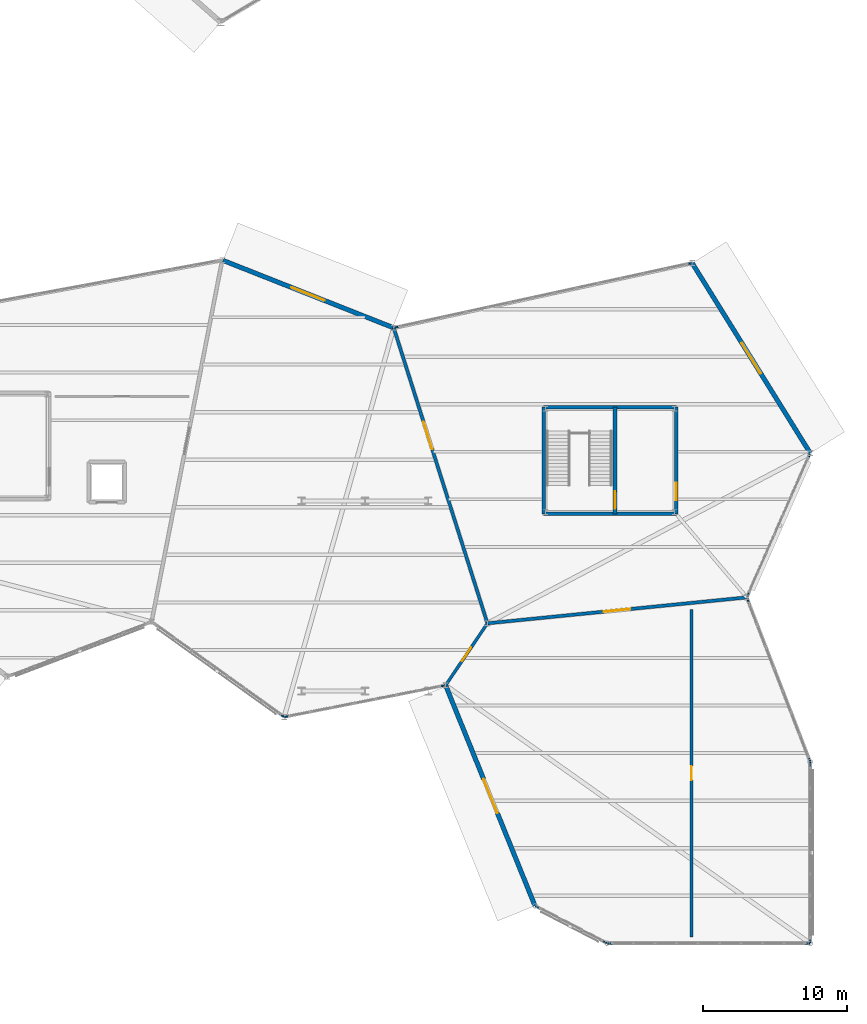
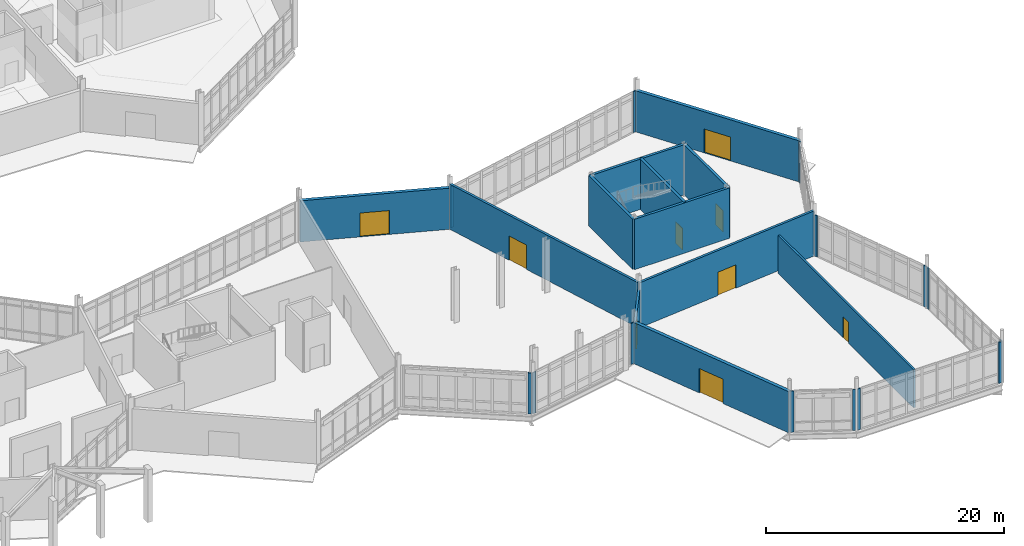
# One storey, part 98 of 113: 27 walls, 9 doors, 9 openings.
"""IFC4 building model written with IfcOpenShell, lengths in metres."""

from ifc_helpers import new_model, si_unit, direction, frame, frame_2d, origin, place, context, subcontext, project, spatial, rectangle, extrude, material, layer, layer_set, type_object, element, fill, save


model = new_model("IFC4")

# Units and contexts
model_context = context("Model", 3, precision=1e-05, world=origin(), true_north=direction((0.0, 1.0)))
body_context = subcontext(model_context, "Body", "Model", "MODEL_VIEW")
ifc_project = project(units=[si_unit("LENGTHUNIT", "METRE"), si_unit("AREAUNIT", "SQUARE_METRE"), si_unit("VOLUMEUNIT", "CUBIC_METRE"), si_unit("PLANEANGLEUNIT", "RADIAN"), si_unit("MASSUNIT", "GRAM", prefix="KILO")], contexts=[model_context])

# Site, building, storey
site_placement = place(None, origin())
site = spatial("IfcSite", under=ifc_project, at=site_placement, CompositionType="ELEMENT")
building_placement = place(site_placement, origin())
building = spatial("IfcBuilding", under=site, at=building_placement, Name="Tameran Prism Museum", CompositionType="ELEMENT")
storey_placement = place(building_placement, origin())
storey = spatial("IfcBuildingStorey", under=building, at=storey_placement, Name="L00", CompositionType="ELEMENT", Elevation=0.0)

# Walls
ifc_material_1 = material(Name="Precast Concrete N40 (40 MPa)", Category="concrete")
ifc_layer_1 = layer(ifc_material_1, 0.094970703125)
ifc_layer_set_1 = layer_set([ifc_layer_1])
wall_type_1 = type_object("IfcWallType", Name="EW-CLOS-095", PredefinedType="SOLIDWALL", material=ifc_layer_set_1)
wall_1_placement = place(storey_placement, frame((129.865966796875, 15.72412109375, 0.0), z_axis=(0.0, 0.0, 1.0), x_axis=(-0.811639565077, 0.584158554162, 0.0)))
element("IfcWall", 1, at=wall_1_placement, inside=storey, type_object=wall_type_1, Name="Facade Corner Closure EW-0110", PredefinedType="SOLIDWALL", context=body_context, shape_type="SweptSolid", body=[
    extrude(rectangle(XDim=0.30810546875, YDim=0.094970703125, at=frame_2d((0.154052734375, 0.0))), origin(), (0.0, 0.0, 1.0), 4.219970703125),
])
for number, where, z_axis, x_axis, name in (
    (2, (141.0, 17.8798828125, 0.0), (0.0, 0.0, 1.0), (-0.981545118721, -0.19123069815, 0.0), "Facade Corner Closure EW-0112"),
    (3, (130.242919921875, 15.76708984375, 0.0), (0.0, 0.0, 1.0), (-0.981395904747, -0.191994995108, 0.0), "Facade Corner Closure EW-0113"),
):
    element("IfcWall", number, at=place(storey_placement, frame(where, z_axis=z_axis, x_axis=x_axis)), inside=storey, type_object=wall_type_1, Name=name, PredefinedType="SOLIDWALL", context=body_context, shape_type="SweptSolid", body=[
        extrude(rectangle(XDim=0.3076171875, YDim=0.094970703125, at=frame_2d((0.15380859375, 0.0))), origin(), (0.0, 0.0, 1.0), 4.219970703125),
    ])
wall_2_placement = place(storey_placement, frame((152.262939453125, 0.01904296875, 0.0), z_axis=(0.0, 0.0, 1.0), x_axis=(-0.888005951379, 0.45983195878, 0.0)))
element("IfcWall", 4, at=wall_2_placement, inside=storey, type_object=wall_type_1, Name="Facade Corner Closure EW-0115", PredefinedType="SOLIDWALL", context=body_context, shape_type="SweptSolid", body=[
    extrude(rectangle(XDim=0.30859375, YDim=0.094970703125, at=frame_2d((0.154296875, 0.0))), origin(), (0.0, 0.0, 1.0), 4.219970703125),
])
wall_3_placement = place(storey_placement, frame((147.611083984375, 2.43896484375, 0.0), z_axis=(0.0, 0.0, 1.0), x_axis=(-0.887850239649, 0.460132537378, 0.0)))
element("IfcWall", 5, at=wall_3_placement, inside=storey, type_object=wall_type_1, Name="Facade Corner Closure EW-0116", PredefinedType="SOLIDWALL", context=body_context, shape_type="SweptSolid", body=[
    extrude(rectangle(XDim=0.308837890625, YDim=0.094970703125, at=frame_2d((0.154296875, 0.0))), origin(), (0.0, 0.0, 1.0), 4.219970703125),
])
for number, where, z_axis, x_axis, name in (
    (6, (166.35791015625, 0.0, 0.0), (0.0, 0.0, 1.0), (-1.0, 0.0, 0.0), "Facade Corner Closure EW-0117"),
    (7, (152.64990234375, 0.0, 0.0), (0.0, 0.0, 1.0), (-1.0, 0.0, 0.0), "Facade Corner Closure EW-0118"),
):
    element("IfcWall", number, at=place(storey_placement, frame(where, z_axis=z_axis, x_axis=x_axis)), inside=storey, type_object=wall_type_1, Name=name, PredefinedType="SOLIDWALL", context=body_context, shape_type="SweptSolid", body=[
        extrude(rectangle(XDim=0.307861328125, YDim=0.094970703125, at=frame_2d((0.15380859375, 0.0))), origin(), (0.0, 0.0, 1.0), 4.219970703125),
    ])
for number, where, z_axis, x_axis, name in (
    (8, (166.39990234375, 12.55810546875, 0.0), (0.0, 0.0, 1.0), (0.0, -1.0, 0.0), "Facade Corner Closure EW-0119"),
    (9, (166.39990234375, 0.35009765625, 0.0), (0.0, 0.0, 1.0), (0.0, -1.0, 0.0), "Facade Corner Closure EW-0120"),
):
    element("IfcWall", number, at=place(storey_placement, frame(where, z_axis=z_axis, x_axis=x_axis)), inside=storey, type_object=wall_type_1, Name=name, PredefinedType="SOLIDWALL", context=body_context, shape_type="SweptSolid", body=[
        extrude(rectangle(XDim=0.30810546875, YDim=0.094970703125, at=frame_2d((0.154052734375, 0.0))), origin(), (0.0, 0.0, 1.0), 4.219970703125),
    ])
wall_4_placement = place(storey_placement, frame((162.037109375, 23.905029296875, 0.0), z_axis=(0.0, 0.0, 1.0), x_axis=(0.359085078765, -0.933304830271, 0.0)))
element("IfcWall", 10, at=wall_4_placement, inside=storey, type_object=wall_type_1, Name="Facade Corner Closure EW-0121", PredefinedType="SOLIDWALL", context=body_context, shape_type="SweptSolid", body=[
    extrude(rectangle(XDim=0.30859375, YDim=0.094970703125, at=frame_2d((0.154296875, 0.0))), origin(), (0.0, 0.0, 1.0), 4.219970703125),
])
wall_5_placement = place(storey_placement, frame((166.27392578125, 12.927001953125, 0.0), z_axis=(0.0, 0.0, 1.0), x_axis=(0.359773736497, -0.933039580365, 0.0)))
element("IfcWall", 11, at=wall_5_placement, inside=storey, type_object=wall_type_1, Name="Facade Corner Closure EW-0122", PredefinedType="SOLIDWALL", context=body_context, shape_type="SweptSolid", body=[
    extrude(rectangle(XDim=0.308837890625, YDim=0.094970703125, at=frame_2d((0.154296875, 0.0))), origin(), (0.0, 0.0, 1.0), 4.219970703125),
])
for number, where, z_axis, x_axis, name in (
    (12, (166.383056640625, 33.9619140625, 0.0), (0.0, 0.0, 1.0), (-0.402605813257, -0.915373453369, 0.0), "Facade Corner Closure EW-0158"),
    (13, (162.1650390625, 24.375, 0.0), (0.0, 0.0, 1.0), (-0.402605813257, -0.915373453369, 0.0), "Facade Corner Closure EW-0159"),
):
    element("IfcWall", number, at=place(storey_placement, frame(where, z_axis=z_axis, x_axis=x_axis)), inside=storey, type_object=wall_type_1, Name=name, PredefinedType="SOLIDWALL", context=body_context, shape_type="SweptSolid", body=[
        extrude(rectangle(XDim=0.30810546875, YDim=0.094970703125, at=frame_2d((0.154052734375, 0.0))), origin(), (0.0, 0.0, 1.0), 4.219970703125),
    ])
for number, where, z_axis, x_axis, name in (
    (14, (137.60009765625, 42.721923828125, 0.0), (0.0, 0.0, 1.0), (0.977312194123, 0.211803860252, 0.0), "Facade Corner Closure EW-0161"),
    (15, (157.85791015625, 47.1259765625, 0.0), (0.0, 0.0, 1.0), (0.977511431712, 0.210882433768, 0.0), "Facade Corner Closure EW-0162"),
):
    element("IfcWall", number, at=place(storey_placement, frame(where, z_axis=z_axis, x_axis=x_axis)), inside=storey, type_object=wall_type_1, Name=name, PredefinedType="SOLIDWALL", context=body_context, shape_type="SweptSolid", body=[
        extrude(rectangle(XDim=0.307861328125, YDim=0.094970703125, at=frame_2d((0.15380859375, 0.0))), origin(), (0.0, 0.0, 1.0), 4.219970703125),
    ])

# Wall, opening, door
ifc_material_2 = material(Name="Precast Concrete N40 (40 MPa)", Category="concrete")
ifc_layer_2 = layer(ifc_material_2, 0.31494140625)
ifc_layer_set_2 = layer_set([ifc_layer_2])
wall_type_2 = type_object("IfcWallType", Name="EW-GAL-315", PredefinedType="SOLIDWALL", material=ifc_layer_set_2)
wall_6_placement = place(storey_placement, frame((125.656982421875, 47.3779296875, 0.0), z_axis=(0.0, 0.0, 1.0), x_axis=(0.930068974863, -0.367384950696, 0.0)))
wall_6 = element("IfcWall", 16, at=wall_6_placement, inside=storey, type_object=wall_type_2, Name="Exterior Fluted Precast Wall EW-0109", PredefinedType="SOLIDWALL", context=body_context, shape_type="SweptSolid", body=[
    extrude(rectangle(XDim=12.67333984375, YDim=0.31494140625, at=frame_2d((6.336669921875, 0.0))), origin(), (0.0, 0.0, 1.0), 4.219970703125),
])
opening_1_placement = place(wall_6_placement, frame((5.0869140625, 0.0, 0.0)))
opening_1 = element("IfcOpeningElement", 17, at=opening_1_placement, cuts=wall_6, Name="Opening ED-09", PredefinedType="OPENING", context=body_context, shape_type="SweptSolid", body=[
    extrude(rectangle(XDim=2.5, YDim=2.449951171875, at=frame_2d((1.25, 1.22509765625))), frame((0.0, 0.16748046875, 0.0), z_axis=(0.0, -1.0, 0.0), x_axis=(1.0, 0.0, 0.0)), (0.0, 0.0, 1.0), 0.3349609375),
])
ifc_material_3 = material(Name="Cyclone-Rated Anodised Aluminium 6063-T6 and Laminated Glass", Category="aluminium")
door_type_1 = type_object("IfcDoorType", Name="DR-EXT-220", OperationType="DOUBLE_DOOR_SINGLE_SWING", PredefinedType="DOOR", material=ifc_material_3)
door_1_placement = place(opening_1_placement, origin())
door_1 = element("IfcDoor", 18, at=door_1_placement, inside=storey, type_object=door_type_1, Name="Final Exit Double Door ED-09", OperationType="DOUBLE_DOOR_SINGLE_SWING", OverallHeight=2.449951171875, OverallWidth=2.5, PredefinedType="DOOR", context=body_context, shape_type="SweptSolid", body=[
    extrude(rectangle(XDim=2.5, YDim=2.449951171875, at=frame_2d((1.25, 1.22509765625))), frame((0.0, 0.02490234375, 0.0), z_axis=(0.0, -1.0, 0.0), x_axis=(1.0, 0.0, 0.0)), (0.0, 0.0, 1.0), 0.050048828125),
])
fill(opening_1, door_1)

wall_7_placement = place(storey_placement, frame((147.300048828125, 2.60009765625, 0.0), z_axis=(0.0, 0.0, 1.0), x_axis=(-0.375550747937, 0.92680183196, 0.0)))
wall_7 = element("IfcWall", 19, at=wall_7_placement, inside=storey, type_object=wall_type_2, Name="Exterior Fluted Precast Wall EW-0114", PredefinedType="SOLIDWALL", context=body_context, shape_type="SweptSolid", body=[
    extrude(rectangle(XDim=16.44775390625, YDim=0.31494140625, at=frame_2d((8.223876953125, 0.0))), origin(), (0.0, 0.0, 1.0), 4.219970703125),
])
opening_2_placement = place(wall_7_placement, frame((6.948974609375, 0.0, 0.0)))
opening_2 = element("IfcOpeningElement", 20, at=opening_2_placement, cuts=wall_7, Name="Opening ED-10", PredefinedType="OPENING", context=body_context, shape_type="SweptSolid", body=[
    extrude(rectangle(XDim=2.550048828125, YDim=2.5, at=frame_2d((1.27490234375, 1.25))), frame((0.0, 0.16748046875, 0.0), z_axis=(0.0, -1.0, 0.0), x_axis=(1.0, 0.0, 0.0)), (0.0, 0.0, 1.0), 0.3349609375),
])
ifc_material_4 = material(Name="Cyclone-Rated Anodised Aluminium 6063-T6 and Laminated Glass", Category="aluminium")
door_type_2 = type_object("IfcDoorType", Name="DR-EXT-230", OperationType="DOUBLE_DOOR_SINGLE_SWING", PredefinedType="DOOR", material=ifc_material_4)
door_2_placement = place(opening_2_placement, origin())
door_2 = element("IfcDoor", 21, at=door_2_placement, inside=storey, type_object=door_type_2, Name="Final Exit Double Door ED-10", OperationType="DOUBLE_DOOR_SINGLE_SWING", OverallHeight=2.5, OverallWidth=2.550048828125, PredefinedType="DOOR", context=body_context, shape_type="SweptSolid", body=[
    extrude(rectangle(XDim=2.550048828125, YDim=2.5, at=frame_2d((1.27490234375, 1.25))), frame((0.0, 0.02490234375, 0.0), z_axis=(0.0, -1.0, 0.0), x_axis=(1.0, 0.0, 0.0)), (0.0, 0.0, 1.0), 0.050048828125),
])
fill(opening_2, door_2)

wall_8_placement = place(storey_placement, frame((158.199951171875, 47.199951171875, 0.0), z_axis=(0.0, 0.0, 1.0), x_axis=(0.527682342596, -0.849441784534, 0.0)))
wall_8 = element("IfcWall", 22, at=wall_8_placement, inside=storey, type_object=wall_type_2, Name="Exterior Fluted Precast Wall EW-0160", PredefinedType="SOLIDWALL", context=body_context, shape_type="SweptSolid", body=[
    extrude(rectangle(XDim=15.53955078125, YDim=0.31494140625, at=frame_2d((7.769775390625, 0.0))), origin(), (0.0, 0.0, 1.0), 4.219970703125),
])
opening_3_placement = place(wall_8_placement, frame((6.52001953125, 0.0, 0.0)))
opening_3 = element("IfcOpeningElement", 23, at=opening_3_placement, cuts=wall_8, Name="Opening ED-15", PredefinedType="OPENING", context=body_context, shape_type="SweptSolid", body=[
    extrude(rectangle(XDim=2.5, YDim=2.449951171875, at=frame_2d((1.25, 1.22509765625))), frame((0.0, 0.16748046875, 0.0), z_axis=(0.0, -1.0, 0.0), x_axis=(1.0, 0.0, 0.0)), (0.0, 0.0, 1.0), 0.3349609375),
])
door_3_placement = place(opening_3_placement, origin())
door_3 = element("IfcDoor", 24, at=door_3_placement, inside=storey, type_object=door_type_1, Name="Final Exit Double Door ED-15", OperationType="DOUBLE_DOOR_SINGLE_SWING", OverallHeight=2.449951171875, OverallWidth=2.5, PredefinedType="DOOR", context=body_context, shape_type="SweptSolid", body=[
    extrude(rectangle(XDim=2.5, YDim=2.449951171875, at=frame_2d((1.25, 1.22509765625))), frame((0.0, 0.02490234375, 0.0), z_axis=(0.0, -1.0, 0.0), x_axis=(1.0, 0.0, 0.0)), (0.0, 0.0, 1.0), 0.050048828125),
])
fill(opening_3, door_3)

ifc_material_5 = material(Name="Concrete N32 (32 MPa)", Category="concrete")
ifc_layer_3 = layer(ifc_material_5, 0.205078125)
ifc_layer_set_3 = layer_set([ifc_layer_3])
wall_type_3 = type_object("IfcWallType", Name="IW-CMP-205", PredefinedType="SOLIDWALL", material=ifc_layer_set_3)
wall_9_placement = place(storey_placement, frame((141.10009765625, 17.89990234375, 0.0), z_axis=(0.0, 0.0, 1.0), x_axis=(0.559124361662, 0.829083800467, 0.0)))
wall_9 = element("IfcWall", 25, at=wall_9_placement, inside=storey, type_object=wall_type_3, Name="Compartment Wall IW-0040", PredefinedType="SOLIDWALL", context=body_context, shape_type="SweptSolid", body=[
    extrude(rectangle(XDim=5.1865234375, YDim=0.205078125, at=frame_2d((2.59326171875, 0.0))), origin(), (0.0, 0.0, 1.0), 3.919921875),
])
opening_4_placement = place(wall_9_placement, frame((2.01806640625, 0.0, 0.0)))
opening_4 = element("IfcOpeningElement", 26, at=opening_4_placement, cuts=wall_9, Name="Opening ID-0039", PredefinedType="OPENING", context=body_context, shape_type="SweptSolid", body=[
    extrude(rectangle(XDim=1.14990234375, YDim=2.199951171875, at=frame_2d((0.574951171875, 1.10009765625))), frame((0.0, 0.112548828125, 0.0), z_axis=(0.0, -1.0, 0.0), x_axis=(1.0, 0.0, 0.0)), (0.0, 0.0, 1.0), 0.22509765625),
])
ifc_material_6 = material(Name="Fire-Rated Steel Door Leaf and Frame", Category="steel")
door_type_3 = type_object("IfcDoorType", Name="DR-FD-120B", OperationType="NOTDEFINED", PredefinedType="DOOR", material=ifc_material_6)
door_4_placement = place(opening_4_placement, origin())
door_4 = element("IfcDoor", 27, at=door_4_placement, inside=storey, type_object=door_type_3, Name="Compartment Door ID-0039", OperationType="SINGLE_SWING_RIGHT", OverallHeight=2.199951171875, OverallWidth=1.14990234375, PredefinedType="DOOR", context=body_context, shape_type="SweptSolid", body=[
    extrude(rectangle(XDim=1.14990234375, YDim=2.199951171875, at=frame_2d((0.574951171875, 1.10009765625))), frame((0.0, 0.02490234375, 0.0), z_axis=(0.0, -1.0, 0.0), x_axis=(1.0, 0.0, 0.0)), (0.0, 0.0, 1.0), 0.050048828125),
])
fill(opening_4, door_4)

ifc_material_7 = material(Name="Concrete N40 (40 MPa)", Category="concrete")
ifc_layer_4 = layer(ifc_material_7, 0.22509765625)
ifc_layer_set_4 = layer_set([ifc_layer_4])
wall_type_4 = type_object("IfcWallType", Name="IW-CMP-225", PredefinedType="SOLIDWALL", material=ifc_layer_set_4)
wall_10_placement = place(storey_placement, frame((144.0, 22.199951171875, 0.0), z_axis=(0.0, 0.0, 1.0), x_axis=(-0.302243860734, 0.953230637699, 0.0)))
wall_10 = element("IfcWall", 28, at=wall_10_placement, inside=storey, type_object=wall_type_4, Name="Compartment Wall IW-0041", PredefinedType="SOLIDWALL", context=body_context, shape_type="SweptSolid", body=[
    extrude(rectangle(XDim=21.505859375, YDim=0.22509765625, at=frame_2d((10.7529296875, 0.0))), origin(), (0.0, 0.0, 1.0), 4.6201171875),
])
opening_5_placement = place(wall_10_placement, frame((12.678955078125, 0.0, 0.0)))
opening_5 = element("IfcOpeningElement", 29, at=opening_5_placement, cuts=wall_10, Name="Opening ID-0040", PredefinedType="OPENING", context=body_context, shape_type="SweptSolid", body=[
    extrude(rectangle(XDim=2.0, YDim=2.5, at=frame_2d((1.0, 1.25))), frame((0.0, 0.12255859375, 0.0), z_axis=(0.0, -1.0, 0.0), x_axis=(1.0, 0.0, 0.0)), (0.0, 0.0, 1.0), 0.2451171875),
])
ifc_material_8 = material(Name="Fire-Rated Steel Door Leaf and Frame", Category="steel")
door_type_4 = type_object("IfcDoorType", Name="DR-GAL-200", OperationType="DOUBLE_DOOR_SINGLE_SWING", PredefinedType="DOOR", material=ifc_material_8)
door_5_placement = place(opening_5_placement, origin())
door_5 = element("IfcDoor", 30, at=door_5_placement, inside=storey, type_object=door_type_4, Name="Compartment Door ID-0040", OperationType="DOUBLE_DOOR_SINGLE_SWING", OverallHeight=2.5, OverallWidth=2.0, PredefinedType="DOOR", context=body_context, shape_type="SweptSolid", body=[
    extrude(rectangle(XDim=2.0, YDim=2.5, at=frame_2d((1.0, 1.25))), frame((0.0, 0.02490234375, 0.0), z_axis=(0.0, -1.0, 0.0), x_axis=(1.0, 0.0, 0.0)), (0.0, 0.0, 1.0), 0.050048828125),
])
fill(opening_5, door_5)

wall_11_placement = place(storey_placement, frame((162.0, 24.0, 0.0), z_axis=(0.0, 0.0, 1.0), x_axis=(-0.995036922958, -0.099506391506, 0.0)))
wall_11 = element("IfcWall", 31, at=wall_11_placement, inside=storey, type_object=wall_type_4, Name="Compartment Wall IW-0042", PredefinedType="SOLIDWALL", context=body_context, shape_type="SweptSolid", body=[
    extrude(rectangle(XDim=18.08984375, YDim=0.22509765625, at=frame_2d((9.044921875, 0.0))), origin(), (0.0, 0.0, 1.0), 4.6201171875),
])
opening_6_placement = place(wall_11_placement, frame((8.1201171875, 0.0, 0.0)))
opening_6 = element("IfcOpeningElement", 32, at=opening_6_placement, cuts=wall_11, Name="Opening ID-0041", PredefinedType="OPENING", context=body_context, shape_type="SweptSolid", body=[
    extrude(rectangle(XDim=1.85009765625, YDim=2.39990234375, at=frame_2d((0.925048828125, 1.199951171875))), frame((0.0, 0.12255859375, 0.0), z_axis=(0.0, -1.0, 0.0), x_axis=(1.0, 0.0, 0.0)), (0.0, 0.0, 1.0), 0.2451171875),
])
ifc_material_9 = material(Name="Fire-Rated Steel Door Leaf and Frame", Category="steel")
door_type_5 = type_object("IfcDoorType", Name="DR-GAL-185", OperationType="DOUBLE_DOOR_SINGLE_SWING", PredefinedType="DOOR", material=ifc_material_9)
door_6_placement = place(opening_6_placement, origin())
door_6 = element("IfcDoor", 33, at=door_6_placement, inside=storey, type_object=door_type_5, Name="Compartment Door ID-0041", OperationType="DOUBLE_DOOR_SINGLE_SWING", OverallHeight=2.39990234375, OverallWidth=1.85009765625, PredefinedType="DOOR", context=body_context, shape_type="SweptSolid", body=[
    extrude(rectangle(XDim=1.85009765625, YDim=2.39990234375, at=frame_2d((0.925048828125, 1.199951171875))), frame((0.0, 0.02490234375, 0.0), z_axis=(0.0, -1.0, 0.0), x_axis=(1.0, 0.0, 0.0)), (0.0, 0.0, 1.0), 0.050048828125),
])
fill(opening_6, door_6)

# Walls
ifc_material_10 = material(Name="Concrete N40 (40 MPa)", Category="concrete")
ifc_layer_5 = layer(ifc_material_10, 0.25)
ifc_layer_set_5 = layer_set([ifc_layer_5])
wall_type_5 = type_object("IfcWallType", Name="IW-COR-250", PredefinedType="SHEAR", material=ifc_layer_set_5)
wall_12_placement = place(storey_placement, frame((147.89990234375, 29.800048828125, 0.0), z_axis=(0.0, 0.0, 1.0), x_axis=(0.0, 1.0, 0.0)))
element("IfcWall", 34, at=wall_12_placement, inside=storey, type_object=wall_type_5, Name="Core Shear Wall CW-13-L00-W", PredefinedType="SHEAR", context=body_context, shape_type="SweptSolid", body=[
    extrude(rectangle(XDim=7.39990234375, YDim=0.25, at=frame_2d((3.699951171875, 0.0))), origin(), (0.0, 0.0, 1.0), 5.159912109375),
])
for number, where, z_axis, x_axis, name in (
    (35, (147.89990234375, 37.199951171875, 0.0), (0.0, 0.0, 1.0), (1.0, 0.0, 0.0), "Core Shear Wall CW-13-L00-N"),
    (36, (157.10009765625, 29.800048828125, 0.0), (0.0, 0.0, 1.0), (-1.0, 0.0, 0.0), "Core Shear Wall CW-13-L00-S"),
):
    element("IfcWall", number, at=place(storey_placement, frame(where, z_axis=z_axis, x_axis=x_axis)), inside=storey, type_object=wall_type_5, Name=name, PredefinedType="SHEAR", context=body_context, shape_type="SweptSolid", body=[
        extrude(rectangle(XDim=9.2001953125, YDim=0.25, at=frame_2d((4.60009765625, 0.0))), origin(), (0.0, 0.0, 1.0), 5.159912109375),
    ])

# Wall, opening, door
wall_13_placement = place(storey_placement, frame((157.10009765625, 37.199951171875, 0.0), z_axis=(0.0, 0.0, 1.0), x_axis=(0.0, -1.0, 0.0)))
wall_13 = element("IfcWall", 37, at=wall_13_placement, inside=storey, type_object=wall_type_5, Name="Core Shear Wall CW-13-L00-E", PredefinedType="SHEAR", context=body_context, shape_type="SweptSolid", body=[
    extrude(rectangle(XDim=7.39990234375, YDim=0.25, at=frame_2d((3.699951171875, 0.0))), origin(), (0.0, 0.0, 1.0), 5.159912109375),
])
opening_7_placement = place(wall_13_placement, frame((5.25, 0.0, 0.0)))
opening_7 = element("IfcOpeningElement", 38, at=opening_7_placement, cuts=wall_13, Name="Opening FD-0281", PredefinedType="OPENING", context=body_context, shape_type="SweptSolid", body=[
    extrude(rectangle(XDim=1.199951171875, YDim=2.199951171875, at=frame_2d((0.60009765625, 1.10009765625))), frame((0.0, 0.135009765625, 0.0), z_axis=(0.0, -1.0, 0.0), x_axis=(1.0, 0.0, 0.0)), (0.0, 0.0, 1.0), 0.27001953125),
])
ifc_material_11 = material(Name="Fire-Rated Steel Door Leaf and Frame", Category="steel")
door_type_6 = type_object("IfcDoorType", Name="DR-FD-120A", OperationType="NOTDEFINED", PredefinedType="DOOR", material=ifc_material_11)
door_7_placement = place(opening_7_placement, origin())
door_7 = element("IfcDoor", 39, at=door_7_placement, inside=storey, type_object=door_type_6, Name="Core Fire Door FD-0281", OperationType="SINGLE_SWING_LEFT", OverallHeight=2.199951171875, OverallWidth=1.199951171875, PredefinedType="DOOR", context=body_context, shape_type="SweptSolid", body=[
    extrude(rectangle(XDim=1.199951171875, YDim=2.199951171875, at=frame_2d((0.60009765625, 1.10009765625))), frame((0.0, 0.02490234375, 0.0), z_axis=(0.0, -1.0, 0.0), x_axis=(1.0, 0.0, 0.0)), (0.0, 0.0, 1.0), 0.050048828125),
])
fill(opening_7, door_7)

wall_14_placement = place(storey_placement, frame((152.85009765625, 37.199951171875, 0.0), z_axis=(0.0, 0.0, 1.0), x_axis=(0.0, -1.0, 0.0)))
wall_14 = element("IfcWall", 40, at=wall_14_placement, inside=storey, type_object=wall_type_5, Name="Core Shear Wall CW-13-L00-M", PredefinedType="SHEAR", context=body_context, shape_type="SweptSolid", body=[
    extrude(rectangle(XDim=7.39990234375, YDim=0.25, at=frame_2d((3.699951171875, 0.0))), origin(), (0.0, 0.0, 1.0), 5.159912109375),
])
opening_8_placement = place(wall_14_placement, frame((5.85009765625, 0.0, 0.0)))
opening_8 = element("IfcOpeningElement", 41, at=opening_8_placement, cuts=wall_14, Name="Opening FD-0282", PredefinedType="OPENING", context=body_context, shape_type="SweptSolid", body=[
    extrude(rectangle(XDim=1.199951171875, YDim=2.199951171875, at=frame_2d((0.60009765625, 1.10009765625))), frame((0.0, 0.135009765625, 0.0), z_axis=(0.0, -1.0, 0.0), x_axis=(1.0, 0.0, 0.0)), (0.0, 0.0, 1.0), 0.27001953125),
])
door_8_placement = place(opening_8_placement, origin())
door_8 = element("IfcDoor", 42, at=door_8_placement, inside=storey, type_object=door_type_6, Name="Core Fire Door FD-0282", OperationType="SINGLE_SWING_RIGHT", OverallHeight=2.199951171875, OverallWidth=1.199951171875, PredefinedType="DOOR", context=body_context, shape_type="SweptSolid", body=[
    extrude(rectangle(XDim=1.199951171875, YDim=2.199951171875, at=frame_2d((0.60009765625, 1.10009765625))), frame((0.0, 0.02490234375, 0.0), z_axis=(0.0, -1.0, 0.0), x_axis=(1.0, 0.0, 0.0)), (0.0, 0.0, 1.0), 0.050048828125),
])
fill(opening_8, door_8)

ifc_material_12 = material(Name="Acoustic Double Stud Plasterboard")
ifc_layer_6 = layer(ifc_material_12, 0.18505859375)
ifc_layer_set_6 = layer_set([ifc_layer_6])
wall_type_6 = type_object("IfcWallType", Name="IW-PRT-185", PredefinedType="PARTITIONING", material=ifc_layer_set_6)
wall_15_placement = place(storey_placement, frame((158.159912109375, 0.449951171875, 0.0), z_axis=(0.0, 0.0, 1.0), x_axis=(0.0, 1.0, 0.0)))
wall_15 = element("IfcWall", 43, at=wall_15_placement, inside=storey, type_object=wall_type_6, Name="Internal Partition PT-0064", PredefinedType="PARTITIONING", context=body_context, shape_type="SweptSolid", body=[
    extrude(rectangle(XDim=22.714111328125, YDim=0.18505859375, at=frame_2d((11.35693359375, 0.0))), origin(), (0.0, 0.0, 1.0), 3.919921875),
])
opening_9_placement = place(wall_15_placement, frame((10.866943359375, 0.0, 0.0)))
opening_9 = element("IfcOpeningElement", 44, at=opening_9_placement, cuts=wall_15, Name="Opening ID-0063", PredefinedType="OPENING", context=body_context, shape_type="SweptSolid", body=[
    extrude(rectangle(XDim=0.97998046875, YDim=2.14990234375, at=frame_2d((0.489990234375, 1.074951171875))), frame((0.0, 0.1025390625, 0.0), z_axis=(0.0, -1.0, 0.0), x_axis=(1.0, 0.0, 0.0)), (0.0, 0.0, 1.0), 0.205078125),
])
ifc_material_13 = material(Name="Acoustic Solid-Core Timber Door", Category="wood")
door_type_7 = type_object("IfcDoorType", Name="DR-INT-098", OperationType="NOTDEFINED", PredefinedType="DOOR", material=ifc_material_13)
door_9_placement = place(opening_9_placement, origin())
door_9 = element("IfcDoor", 45, at=door_9_placement, inside=storey, type_object=door_type_7, Name="Interior Room Door ID-0063", OperationType="SINGLE_SWING_RIGHT", OverallHeight=2.14990234375, OverallWidth=0.97998046875, PredefinedType="DOOR", context=body_context, shape_type="SweptSolid", body=[
    extrude(rectangle(XDim=0.97998046875, YDim=2.14990234375, at=frame_2d((0.489990234375, 1.074951171875))), frame((0.0, 0.02490234375, 0.0), z_axis=(0.0, -1.0, 0.0), x_axis=(1.0, 0.0, 0.0)), (0.0, 0.0, 1.0), 0.050048828125),
])
fill(opening_9, door_9)

save(model, "model.ifc")
